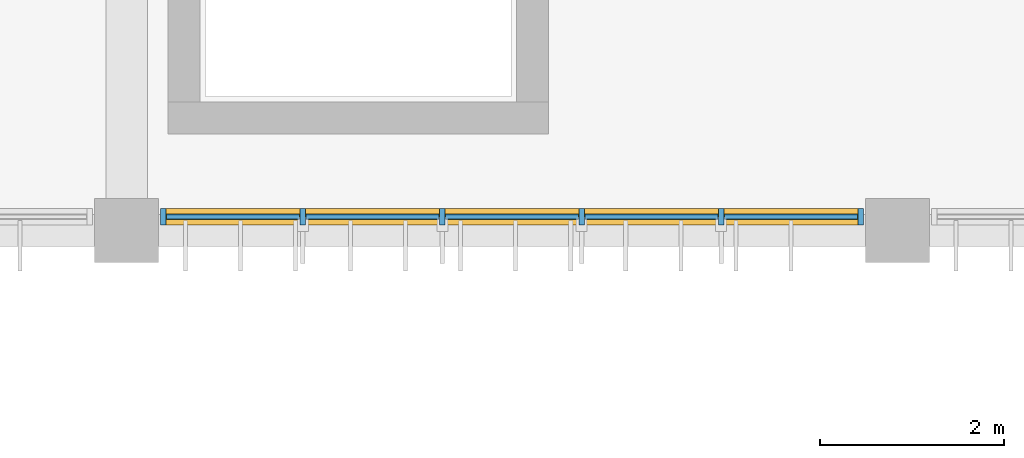
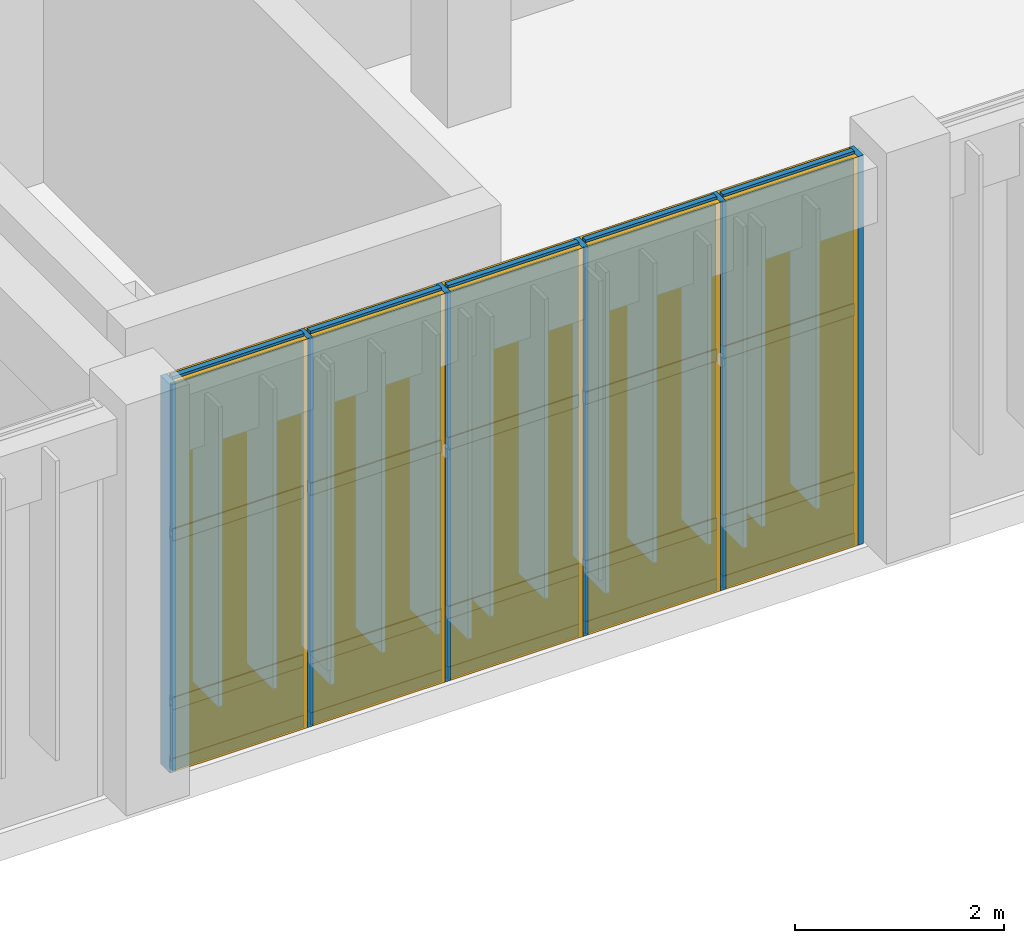
# One storey, part 102 of 122: 26 members, 15 plates, 1 curtain wall.
"""IFC4 building model written with IfcOpenShell, lengths in metres."""

import ifcopenshell
import ifcopenshell.guid

model = None  # the IFC model being written
_history = None  # IfcOwnerHistory: only IFC2X3 demands one
_inside = {}  # id of a spatial element -> (the spatial element, [elements in it])
_under = {}  # id of a project, library or spatial element -> (it, [spatial elements below it])
_declared = {}  # id of a project -> (the project, [libraries it declares])
_typed = {}  # id of a type object -> (the type object, [elements of that type])
_made_of = {}  # id of a material, layer set ... -> (it, [elements and type objects made of it])


def new_model(schema):
    """Start an empty IFC model of exactly this schema.

    Asked for "IFC4X3", IfcOpenShell would pick the latest addendum, in which some entities
    have other attributes; the version numbers below select the first issue.
    IFC2X3 requires an IfcOwnerHistory on every rooted entity: one is made here for all.
    """
    global model, _history
    if schema == "IFC4X3":
        model = ifcopenshell.file(schema_version=(4, 3, 0, 0))
    else:
        model = ifcopenshell.file(schema=schema)
    _inside.clear()
    _under.clear()
    _declared.clear()
    _typed.clear()
    _made_of.clear()
    _history = None
    if model.schema == "IFC2X3":
        org = make("IfcOrganization", Name="unknown")
        user = make(
            "IfcPersonAndOrganization",
            ThePerson=make("IfcPerson", FamilyName="unknown"),
            TheOrganization=org,
        )
        app = make(
            "IfcApplication",
            ApplicationDeveloper=org,
            Version="unknown",
            ApplicationFullName="unknown",
            ApplicationIdentifier="unknown",
        )
        _history = make(
            "IfcOwnerHistory",
            OwningUser=user,
            OwningApplication=app,
            ChangeAction="ADDED",
            CreationDate=0,
        )
    return model


def make(cls, **values):
    """One entity of the class cls with the attributes given. An attribute that is None is left unset."""
    return model.create_entity(
        cls, **{name: value for name, value in values.items() if value is not None}
    )


def rooted(cls, **values):
    """An entity with a GlobalId (a new one), such as an element, a storey or a relation."""
    return make(cls, GlobalId=ifcopenshell.guid.new(), OwnerHistory=_history, **values)


def si_unit(unit_type, name, prefix=None):
    """IfcSIUnit, for example si_unit("LENGTHUNIT", "METRE", prefix="MILLI")."""
    return make("IfcSIUnit", UnitType=unit_type, Prefix=prefix, Name=name)


def assignment(units):
    """IfcUnitAssignment: the units of a project."""
    return None if units is None else make("IfcUnitAssignment", Units=units)


def point(xyz):
    """IfcCartesianPoint."""
    return None if xyz is None else make("IfcCartesianPoint", Coordinates=xyz)


def direction(xyz):
    """IfcDirection."""
    return None if xyz is None else make("IfcDirection", DirectionRatios=xyz)


def frame(location, z_axis=None, x_axis=None):
    """IfcAxis2Placement3D, a coordinate frame: its origin and axes. An axis left out is left unset."""
    return make(
        "IfcAxis2Placement3D",
        Location=point(location),
        Axis=direction(z_axis),
        RefDirection=direction(x_axis),
    )


def frame_2d(location, x_axis=None):
    """IfcAxis2Placement2D, a coordinate frame in the plane: its origin and x axis."""
    return make(
        "IfcAxis2Placement2D", Location=point(location), RefDirection=direction(x_axis)
    )


def origin():
    """The frame at (0, 0, 0) with its axes left unset."""
    return frame((0.0, 0.0, 0.0))


def origin_2d():
    """The frame at (0, 0) in the plane with its x axis left unset."""
    return frame_2d((0.0, 0.0))


def place(relative_to, where):
    """IfcLocalPlacement: puts the frame where relative to a parent placement (None: the world)."""
    return make(
        "IfcLocalPlacement", PlacementRelTo=relative_to, RelativePlacement=where
    )


def context(
    kind, dimensions, precision=None, world=None, true_north=None, identifier=None
):
    """IfcGeometricRepresentationContext, for example the 3D "Model" context."""
    return make(
        "IfcGeometricRepresentationContext",
        ContextIdentifier=identifier,
        ContextType=kind,
        CoordinateSpaceDimension=dimensions,
        Precision=precision,
        WorldCoordinateSystem=world,
        TrueNorth=true_north,
    )


def subcontext(parent, identifier, kind, view, scale=None):
    """IfcGeometricRepresentationSubContext, for example "Body" below "Model"."""
    return make(
        "IfcGeometricRepresentationSubContext",
        ContextIdentifier=identifier,
        ContextType=kind,
        ParentContext=parent,
        TargetScale=scale,
        TargetView=view,
    )


def project(units=None, contexts=None):
    """IfcProject with its units and contexts."""
    return rooted(
        "IfcProject",
        Name="project",
        RepresentationContexts=contexts,
        UnitsInContext=assignment(units),
    )


def spatial(cls, under=None, at=None, **own):
    """A site, building, storey or space (cls), placed at a placement, below another one or the project."""
    s = rooted(cls, ObjectPlacement=at, **own)
    if under is not None:
        _under.setdefault(under.id(), (under, []))[1].append(s)
    return s


def profile(cls, at=None, kind="AREA", **sizes):
    """A parametric profile (cls). Its sizes go by their IFC names, for example OverallWidth=200.0."""
    return make(cls, ProfileType=kind, Position=at, **sizes)


def rectangle(**sizes):
    """IfcRectangleProfileDef."""
    return profile("IfcRectangleProfileDef", **sizes)


def extrude(swept, where, along, depth):
    """IfcExtrudedAreaSolid: the profile swept, set in the frame where, extruded along a direction by depth."""
    return make(
        "IfcExtrudedAreaSolid",
        SweptArea=swept,
        Position=where,
        ExtrudedDirection=direction(along),
        Depth=depth,
    )


def shape(context_of_items, identifier, shape_type, items):
    """IfcShapeRepresentation: the items that make up one representation, for example the "Body"."""
    return make(
        "IfcShapeRepresentation",
        ContextOfItems=context_of_items,
        RepresentationIdentifier=identifier,
        RepresentationType=shape_type,
        Items=items,
    )


def material(Name=None, Category=None):
    """IfcMaterial."""
    return make("IfcMaterial", Name=Name, Category=Category)


def layer(
    of_material, thickness, ventilated=None, Name=None, Category=None, Priority=None
):
    """IfcMaterialLayer: one layer of a wall or slab, of a material (None: an air gap)."""
    return make(
        "IfcMaterialLayer",
        Material=of_material,
        LayerThickness=thickness,
        IsVentilated=ventilated,
        Name=Name,
        Category=Category,
        Priority=Priority,
    )


def layer_set(layers, Name=None):
    """IfcMaterialLayerSet."""
    return make("IfcMaterialLayerSet", MaterialLayers=layers, LayerSetName=Name)


def material_profile(
    of_material, cross_section, Name=None, Category=None, Priority=None
):
    """IfcMaterialProfile: a cross section and its material."""
    return make(
        "IfcMaterialProfile",
        Name=Name,
        Material=of_material,
        Profile=cross_section,
        Priority=Priority,
        Category=Category,
    )


def profile_set(profiles, Name=None, composite=None):
    """IfcMaterialProfileSet."""
    return make(
        "IfcMaterialProfileSet",
        Name=Name,
        MaterialProfiles=profiles,
        CompositeProfile=composite,
    )


def made_of(thing, what):
    """Note that an element or type object is made of a material, layer set ...; save() writes the relation."""
    if what is not None:
        _made_of.setdefault(what.id(), (what, []))[1].append(thing)
    return thing


def type_object(cls, material=None, **own):
    """A type object (cls), such as IfcWallType, which elements share."""
    return made_of(rooted(cls, **own), material)


def element(
    cls,
    number,
    at=None,
    inside=None,
    cuts=None,
    type_object=None,
    material=None,
    context=None,
    identifier="Body",
    shape_type=None,
    held_by="IfcProductDefinitionShape",
    body=None,
    shapes=None,
    **own,
):
    """One element of the class cls, such as IfcWall. Its Tag is "e" and its number.

    at: its placement. inside: the storey or other place that contains it. cuts: it is an
    opening in that element (IfcRelVoidsElement). A single representation is given by context,
    identifier, shape_type and body (its items); several are given by shapes. held_by: the class
    of the entity that holds the representations. save() writes the other relations.
    """
    e = rooted(cls, Tag="e%d" % number, ObjectPlacement=at, **own)
    if body is not None:
        shapes = [shape(context, identifier, shape_type, body)]
    if shapes is not None:
        e.Representation = make(held_by, Representations=shapes)
    if inside is not None:
        _inside.setdefault(inside.id(), (inside, []))[1].append(e)
    if cuts is not None:
        rooted(
            "IfcRelVoidsElement", RelatingBuildingElement=cuts, RelatedOpeningElement=e
        )
    if type_object is not None:
        _typed.setdefault(type_object.id(), (type_object, []))[1].append(e)
    return made_of(e, material)


def aggregate(whole, parts):
    """IfcRelAggregates: a whole, such as a stair, and the parts it consists of."""
    return rooted("IfcRelAggregates", RelatingObject=whole, RelatedObjects=parts)


def save(model, path):
    """Write the relations noted so far, then the file.

    IfcRelAggregates (storeys below a building ...), IfcRelContainedInSpatialStructure (elements
    in a storey), IfcRelDefinesByType, IfcRelAssociatesMaterial and IfcRelDeclares: one each for
    every whole, place, type object, material and project.
    """
    for whole, parts in _under.values():
        aggregate(whole, parts)
    for where, things in _inside.values():
        rooted(
            "IfcRelContainedInSpatialStructure",
            RelatedElements=things,
            RelatingStructure=where,
        )
    for kind, things in _typed.values():
        rooted("IfcRelDefinesByType", RelatedObjects=things, RelatingType=kind)
    for what, things in _made_of.values():
        rooted("IfcRelAssociatesMaterial", RelatedObjects=things, RelatingMaterial=what)
    for by, libraries in _declared.values():
        rooted("IfcRelDeclares", RelatingContext=by, RelatedDefinitions=libraries)
    model.write(path)


model = new_model("IFC4")

# Units and contexts
model_context = context("Model", 3, precision=1e-05, world=origin(), true_north=direction((0.0, 1.0)))
body_context = subcontext(model_context, "Body", "Model", "MODEL_VIEW")
ifc_project = project(units=[si_unit("LENGTHUNIT", "METRE"), si_unit("AREAUNIT", "SQUARE_METRE"), si_unit("VOLUMEUNIT", "CUBIC_METRE"), si_unit("PLANEANGLEUNIT", "RADIAN"), si_unit("MASSUNIT", "GRAM", prefix="KILO")], contexts=[model_context])

# Member
ifc_material_1 = material(Name="Anodised Bronze Aluminium 6063-T6", Category="aluminium")
ifc_material_profile_1 = material_profile(ifc_material_1, rectangle(XDim=0.06005859375, YDim=0.179931640625, at=origin_2d()), Name="ALU MULLION 60x180")
ifc_profile_set_1 = profile_set([ifc_material_profile_1], Name="Anodised Bronze Aluminium 6063-T6")
member_type_1 = type_object("IfcMemberType", Name="Curtain-Wall Primary Mullion 60x180", PredefinedType="MULLION", material=ifc_profile_set_1)
site_placement = place(None, origin())
building_placement = place(site_placement, origin())
storey_placement = place(building_placement, origin())
member_1_placement = place(storey_placement, frame((134.199951171875, 87.949951171875, 0.0), z_axis=(0.0, 0.0, 1.0), x_axis=(1.0, 0.0, 0.0)))
member_1 = element("IfcMember", 1, at=member_1_placement, type_object=member_type_1, Name="Mullion CWM-01 CW-V3-S2-L00-B2-M01", PredefinedType="MULLION", context=body_context, shape_type="SweptSolid", body=[
    extrude(rectangle(XDim=0.06005859375, YDim=0.179931640625, at=origin_2d()), origin(), (0.0, 0.0, 1.0), 4.5400390625),
])

member_2_placement = place(storey_placement, frame((135.719970703125, 87.949951171875, 0.0), z_axis=(0.0, 0.0, 1.0), x_axis=(1.0, 0.0, 0.0)))
member_2 = element("IfcMember", 2, at=member_2_placement, type_object=member_type_1, Name="Mullion CWM-01 CW-V3-S2-L00-B2-M02", PredefinedType="MULLION", context=body_context, shape_type="SweptSolid", body=[
    extrude(rectangle(XDim=0.06005859375, YDim=0.179931640625, at=origin_2d()), origin(), (0.0, 0.0, 1.0), 4.5400390625),
])

member_3_placement = place(storey_placement, frame((137.239990234375, 87.949951171875, 0.0), z_axis=(0.0, 0.0, 1.0), x_axis=(1.0, 0.0, 0.0)))
member_3 = element("IfcMember", 3, at=member_3_placement, type_object=member_type_1, Name="Mullion CWM-01 CW-V3-S2-L00-B2-M03", PredefinedType="MULLION", context=body_context, shape_type="SweptSolid", body=[
    extrude(rectangle(XDim=0.06005859375, YDim=0.179931640625, at=origin_2d()), origin(), (0.0, 0.0, 1.0), 4.5400390625),
])

member_4_placement = place(storey_placement, frame((138.760009765625, 87.949951171875, 0.0), z_axis=(0.0, 0.0, 1.0), x_axis=(1.0, 0.0, 0.0)))
member_4 = element("IfcMember", 4, at=member_4_placement, type_object=member_type_1, Name="Mullion CWM-01 CW-V3-S2-L00-B2-M04", PredefinedType="MULLION", context=body_context, shape_type="SweptSolid", body=[
    extrude(rectangle(XDim=0.06005859375, YDim=0.179931640625, at=origin_2d()), origin(), (0.0, 0.0, 1.0), 4.5400390625),
])

member_5_placement = place(storey_placement, frame((140.280029296875, 87.949951171875, 0.0), z_axis=(0.0, 0.0, 1.0), x_axis=(1.0, 0.0, 0.0)))
member_5 = element("IfcMember", 5, at=member_5_placement, type_object=member_type_1, Name="Mullion CWM-01 CW-V3-S2-L00-B2-M05", PredefinedType="MULLION", context=body_context, shape_type="SweptSolid", body=[
    extrude(rectangle(XDim=0.06005859375, YDim=0.179931640625, at=origin_2d()), origin(), (0.0, 0.0, 1.0), 4.5400390625),
])

member_6_placement = place(storey_placement, frame((141.800048828125, 87.949951171875, 0.0), z_axis=(0.0, 0.0, 1.0), x_axis=(1.0, 0.0, 0.0)))
member_6 = element("IfcMember", 6, at=member_6_placement, type_object=member_type_1, Name="Mullion CWM-01 CW-V3-S2-L00-B2-M06", PredefinedType="MULLION", context=body_context, shape_type="SweptSolid", body=[
    extrude(rectangle(XDim=0.06005859375, YDim=0.179931640625, at=origin_2d()), origin(), (0.0, 0.0, 1.0), 4.5400390625),
])

ifc_material_profile_2 = material_profile(ifc_material_1, rectangle(XDim=0.06005859375, YDim=0.139892578125, at=origin_2d()), Name="ALU TRANSOM 60x140")
ifc_profile_set_2 = profile_set([ifc_material_profile_2], Name="Anodised Bronze Aluminium 6063-T6")
member_type_2 = type_object("IfcMemberType", Name="Curtain-Wall Transom 60x140", PredefinedType="USERDEFINED", material=ifc_profile_set_2)
member_7_placement = place(storey_placement, frame((134.235107421875, 87.949951171875, 0.0400390625), z_axis=(1.0, 0.0, 0.0), x_axis=(0.0, 1.0, 0.0)))
member_7 = element("IfcMember", 7, at=member_7_placement, type_object=member_type_2, Name="Transom CWT-01 CW-V3-S2-L00-B2-T01.1", ObjectType="TRANSOM", PredefinedType="USERDEFINED", context=body_context, shape_type="SweptSolid", body=[
    extrude(rectangle(XDim=0.06005859375, YDim=0.139892578125, at=origin_2d()), origin(), (0.0, 0.0, 1.0), 1.449951171875),
])

member_8_placement = place(storey_placement, frame((134.235107421875, 87.949951171875, 0.75), z_axis=(1.0, 0.0, 0.0), x_axis=(0.0, 1.0, 0.0)))
member_8 = element("IfcMember", 8, at=member_8_placement, type_object=member_type_2, Name="Transom CWT-01 CW-V3-S2-L00-B2-T01.2", ObjectType="TRANSOM", PredefinedType="USERDEFINED", context=body_context, shape_type="SweptSolid", body=[
    extrude(rectangle(XDim=0.06005859375, YDim=0.139892578125, at=origin_2d()), origin(), (0.0, 0.0, 1.0), 1.449951171875),
])

member_9_placement = place(storey_placement, frame((134.235107421875, 87.949951171875, 2.720703125), z_axis=(1.0, 0.0, 0.0), x_axis=(0.0, 1.0, 0.0)))
member_9 = element("IfcMember", 9, at=member_9_placement, type_object=member_type_2, Name="Transom CWT-01 CW-V3-S2-L00-B2-T01.3", ObjectType="TRANSOM", PredefinedType="USERDEFINED", context=body_context, shape_type="SweptSolid", body=[
    extrude(rectangle(XDim=0.06005859375, YDim=0.139892578125, at=origin_2d()), origin(), (0.0, 0.0, 1.0), 1.449951171875),
])

member_10_placement = place(storey_placement, frame((134.235107421875, 87.949951171875, 4.5), z_axis=(1.0, 0.0, 0.0), x_axis=(0.0, 1.0, 0.0)))
member_10 = element("IfcMember", 10, at=member_10_placement, type_object=member_type_2, Name="Transom CWT-01 CW-V3-S2-L00-B2-T01.4", ObjectType="TRANSOM", PredefinedType="USERDEFINED", context=body_context, shape_type="SweptSolid", body=[
    extrude(rectangle(XDim=0.06005859375, YDim=0.139892578125, at=origin_2d()), origin(), (0.0, 0.0, 1.0), 1.449951171875),
])

member_11_placement = place(storey_placement, frame((135.7548828125, 87.949951171875, 0.0400390625), z_axis=(1.0, 0.0, 0.0), x_axis=(0.0, 1.0, 0.0)))
member_11 = element("IfcMember", 11, at=member_11_placement, type_object=member_type_2, Name="Transom CWT-01 CW-V3-S2-L00-B2-T02.1", ObjectType="TRANSOM", PredefinedType="USERDEFINED", context=body_context, shape_type="SweptSolid", body=[
    extrude(rectangle(XDim=0.06005859375, YDim=0.139892578125, at=origin_2d()), origin(), (0.0, 0.0, 1.0), 1.4501953125),
])

member_12_placement = place(storey_placement, frame((135.7548828125, 87.949951171875, 0.75), z_axis=(1.0, 0.0, 0.0), x_axis=(0.0, 1.0, 0.0)))
member_12 = element("IfcMember", 12, at=member_12_placement, type_object=member_type_2, Name="Transom CWT-01 CW-V3-S2-L00-B2-T02.2", ObjectType="TRANSOM", PredefinedType="USERDEFINED", context=body_context, shape_type="SweptSolid", body=[
    extrude(rectangle(XDim=0.06005859375, YDim=0.139892578125, at=origin_2d()), origin(), (0.0, 0.0, 1.0), 1.4501953125),
])

member_13_placement = place(storey_placement, frame((135.7548828125, 87.949951171875, 2.720703125), z_axis=(1.0, 0.0, 0.0), x_axis=(0.0, 1.0, 0.0)))
member_13 = element("IfcMember", 13, at=member_13_placement, type_object=member_type_2, Name="Transom CWT-01 CW-V3-S2-L00-B2-T02.3", ObjectType="TRANSOM", PredefinedType="USERDEFINED", context=body_context, shape_type="SweptSolid", body=[
    extrude(rectangle(XDim=0.06005859375, YDim=0.139892578125, at=origin_2d()), origin(), (0.0, 0.0, 1.0), 1.4501953125),
])

member_14_placement = place(storey_placement, frame((135.7548828125, 87.949951171875, 4.5), z_axis=(1.0, 0.0, 0.0), x_axis=(0.0, 1.0, 0.0)))
member_14 = element("IfcMember", 14, at=member_14_placement, type_object=member_type_2, Name="Transom CWT-01 CW-V3-S2-L00-B2-T02.4", ObjectType="TRANSOM", PredefinedType="USERDEFINED", context=body_context, shape_type="SweptSolid", body=[
    extrude(rectangle(XDim=0.06005859375, YDim=0.139892578125, at=origin_2d()), origin(), (0.0, 0.0, 1.0), 1.4501953125),
])

member_15_placement = place(storey_placement, frame((137.27490234375, 87.949951171875, 0.0400390625), z_axis=(1.0, 0.0, 0.0), x_axis=(0.0, 1.0, 0.0)))
member_15 = element("IfcMember", 15, at=member_15_placement, type_object=member_type_2, Name="Transom CWT-01 CW-V3-S2-L00-B2-T03.1", ObjectType="TRANSOM", PredefinedType="USERDEFINED", context=body_context, shape_type="SweptSolid", body=[
    extrude(rectangle(XDim=0.06005859375, YDim=0.139892578125, at=origin_2d()), origin(), (0.0, 0.0, 1.0), 1.4501953125),
])

member_16_placement = place(storey_placement, frame((137.27490234375, 87.949951171875, 0.75), z_axis=(1.0, 0.0, 0.0), x_axis=(0.0, 1.0, 0.0)))
member_16 = element("IfcMember", 16, at=member_16_placement, type_object=member_type_2, Name="Transom CWT-01 CW-V3-S2-L00-B2-T03.2", ObjectType="TRANSOM", PredefinedType="USERDEFINED", context=body_context, shape_type="SweptSolid", body=[
    extrude(rectangle(XDim=0.06005859375, YDim=0.139892578125, at=origin_2d()), origin(), (0.0, 0.0, 1.0), 1.4501953125),
])

member_17_placement = place(storey_placement, frame((137.27490234375, 87.949951171875, 2.720703125), z_axis=(1.0, 0.0, 0.0), x_axis=(0.0, 1.0, 0.0)))
member_17 = element("IfcMember", 17, at=member_17_placement, type_object=member_type_2, Name="Transom CWT-01 CW-V3-S2-L00-B2-T03.3", ObjectType="TRANSOM", PredefinedType="USERDEFINED", context=body_context, shape_type="SweptSolid", body=[
    extrude(rectangle(XDim=0.06005859375, YDim=0.139892578125, at=origin_2d()), origin(), (0.0, 0.0, 1.0), 1.4501953125),
])

member_18_placement = place(storey_placement, frame((137.27490234375, 87.949951171875, 4.5), z_axis=(1.0, 0.0, 0.0), x_axis=(0.0, 1.0, 0.0)))
member_18 = element("IfcMember", 18, at=member_18_placement, type_object=member_type_2, Name="Transom CWT-01 CW-V3-S2-L00-B2-T03.4", ObjectType="TRANSOM", PredefinedType="USERDEFINED", context=body_context, shape_type="SweptSolid", body=[
    extrude(rectangle(XDim=0.06005859375, YDim=0.139892578125, at=origin_2d()), origin(), (0.0, 0.0, 1.0), 1.4501953125),
])

member_19_placement = place(storey_placement, frame((138.794921875, 87.949951171875, 0.0400390625), z_axis=(1.0, 0.0, 0.0), x_axis=(0.0, 1.0, 0.0)))
member_19 = element("IfcMember", 19, at=member_19_placement, type_object=member_type_2, Name="Transom CWT-01 CW-V3-S2-L00-B2-T04.1", ObjectType="TRANSOM", PredefinedType="USERDEFINED", context=body_context, shape_type="SweptSolid", body=[
    extrude(rectangle(XDim=0.06005859375, YDim=0.139892578125, at=origin_2d()), origin(), (0.0, 0.0, 1.0), 1.4501953125),
])

member_20_placement = place(storey_placement, frame((138.794921875, 87.949951171875, 0.75), z_axis=(1.0, 0.0, 0.0), x_axis=(0.0, 1.0, 0.0)))
member_20 = element("IfcMember", 20, at=member_20_placement, type_object=member_type_2, Name="Transom CWT-01 CW-V3-S2-L00-B2-T04.2", ObjectType="TRANSOM", PredefinedType="USERDEFINED", context=body_context, shape_type="SweptSolid", body=[
    extrude(rectangle(XDim=0.06005859375, YDim=0.139892578125, at=origin_2d()), origin(), (0.0, 0.0, 1.0), 1.4501953125),
])

member_21_placement = place(storey_placement, frame((138.794921875, 87.949951171875, 2.720703125), z_axis=(1.0, 0.0, 0.0), x_axis=(0.0, 1.0, 0.0)))
member_21 = element("IfcMember", 21, at=member_21_placement, type_object=member_type_2, Name="Transom CWT-01 CW-V3-S2-L00-B2-T04.3", ObjectType="TRANSOM", PredefinedType="USERDEFINED", context=body_context, shape_type="SweptSolid", body=[
    extrude(rectangle(XDim=0.06005859375, YDim=0.139892578125, at=origin_2d()), origin(), (0.0, 0.0, 1.0), 1.4501953125),
])

member_22_placement = place(storey_placement, frame((138.794921875, 87.949951171875, 4.5), z_axis=(1.0, 0.0, 0.0), x_axis=(0.0, 1.0, 0.0)))
member_22 = element("IfcMember", 22, at=member_22_placement, type_object=member_type_2, Name="Transom CWT-01 CW-V3-S2-L00-B2-T04.4", ObjectType="TRANSOM", PredefinedType="USERDEFINED", context=body_context, shape_type="SweptSolid", body=[
    extrude(rectangle(XDim=0.06005859375, YDim=0.139892578125, at=origin_2d()), origin(), (0.0, 0.0, 1.0), 1.4501953125),
])

member_23_placement = place(storey_placement, frame((140.31494140625, 87.949951171875, 0.0400390625), z_axis=(1.0, 0.0, 0.0), x_axis=(0.0, 1.0, 0.0)))
member_23 = element("IfcMember", 23, at=member_23_placement, type_object=member_type_2, Name="Transom CWT-01 CW-V3-S2-L00-B2-T05.1", ObjectType="TRANSOM", PredefinedType="USERDEFINED", context=body_context, shape_type="SweptSolid", body=[
    extrude(rectangle(XDim=0.06005859375, YDim=0.139892578125, at=origin_2d()), origin(), (0.0, 0.0, 1.0), 1.449951171875),
])

member_24_placement = place(storey_placement, frame((140.31494140625, 87.949951171875, 0.75), z_axis=(1.0, 0.0, 0.0), x_axis=(0.0, 1.0, 0.0)))
member_24 = element("IfcMember", 24, at=member_24_placement, type_object=member_type_2, Name="Transom CWT-01 CW-V3-S2-L00-B2-T05.2", ObjectType="TRANSOM", PredefinedType="USERDEFINED", context=body_context, shape_type="SweptSolid", body=[
    extrude(rectangle(XDim=0.06005859375, YDim=0.139892578125, at=origin_2d()), origin(), (0.0, 0.0, 1.0), 1.449951171875),
])

member_25_placement = place(storey_placement, frame((140.31494140625, 87.949951171875, 2.720703125), z_axis=(1.0, 0.0, 0.0), x_axis=(0.0, 1.0, 0.0)))
member_25 = element("IfcMember", 25, at=member_25_placement, type_object=member_type_2, Name="Transom CWT-01 CW-V3-S2-L00-B2-T05.3", ObjectType="TRANSOM", PredefinedType="USERDEFINED", context=body_context, shape_type="SweptSolid", body=[
    extrude(rectangle(XDim=0.06005859375, YDim=0.139892578125, at=origin_2d()), origin(), (0.0, 0.0, 1.0), 1.449951171875),
])

member_26_placement = place(storey_placement, frame((140.31494140625, 87.949951171875, 4.5), z_axis=(1.0, 0.0, 0.0), x_axis=(0.0, 1.0, 0.0)))
member_26 = element("IfcMember", 26, at=member_26_placement, type_object=member_type_2, Name="Transom CWT-01 CW-V3-S2-L00-B2-T05.4", ObjectType="TRANSOM", PredefinedType="USERDEFINED", context=body_context, shape_type="SweptSolid", body=[
    extrude(rectangle(XDim=0.06005859375, YDim=0.139892578125, at=origin_2d()), origin(), (0.0, 0.0, 1.0), 1.449951171875),
])

# Plate
ifc_material_2 = material(Name="Insulated Bronze Aluminium Spandrel Panel", Category="aluminium")
ifc_layer_1 = layer(ifc_material_2, 0.050048828125, Name="Insulated Bronze Aluminium Spandrel Panel")
ifc_layer_set_1 = layer_set([ifc_layer_1], Name="Insulated Bronze Aluminium Spandrel Panel")
plate_type_1 = type_object("IfcPlateType", Name="Insulated Anodised Aluminium Spandrel Cassette 50", PredefinedType="CURTAIN_PANEL", material=ifc_layer_set_1)
plate_1_placement = place(storey_placement, frame((134.9599609375, 87.949951171875, 0.070068359375), z_axis=(0.0, 0.0, 1.0), x_axis=(1.0, 0.0, 0.0)))
plate_1 = element("IfcPlate", 27, at=plate_1_placement, type_object=plate_type_1, Name="Curtain Panel CWP-03 CW-V3-S2-L00-B2-P01.1", PredefinedType="CURTAIN_PANEL", context=body_context, shape_type="SweptSolid", body=[
    extrude(rectangle(XDim=1.449951171875, YDim=0.050048828125, at=origin_2d()), origin(), (0.0, 0.0, 1.0), 0.64990234375),
])

plate_2_placement = place(storey_placement, frame((136.47998046875, 87.949951171875, 0.070068359375), z_axis=(0.0, 0.0, 1.0), x_axis=(1.0, 0.0, 0.0)))
plate_2 = element("IfcPlate", 28, at=plate_2_placement, type_object=plate_type_1, Name="Curtain Panel CWP-03 CW-V3-S2-L00-B2-P02.1", PredefinedType="CURTAIN_PANEL", context=body_context, shape_type="SweptSolid", body=[
    extrude(rectangle(XDim=1.449951171875, YDim=0.050048828125, at=origin_2d()), origin(), (0.0, 0.0, 1.0), 0.64990234375),
])

plate_3_placement = place(storey_placement, frame((138.0, 87.949951171875, 0.070068359375), z_axis=(0.0, 0.0, 1.0), x_axis=(1.0, 0.0, 0.0)))
plate_3 = element("IfcPlate", 29, at=plate_3_placement, type_object=plate_type_1, Name="Curtain Panel CWP-03 CW-V3-S2-L00-B2-P03.1", PredefinedType="CURTAIN_PANEL", context=body_context, shape_type="SweptSolid", body=[
    extrude(rectangle(XDim=1.449951171875, YDim=0.050048828125, at=origin_2d()), origin(), (0.0, 0.0, 1.0), 0.64990234375),
])

plate_4_placement = place(storey_placement, frame((139.52001953125, 87.949951171875, 0.070068359375), z_axis=(0.0, 0.0, 1.0), x_axis=(1.0, 0.0, 0.0)))
plate_4 = element("IfcPlate", 30, at=plate_4_placement, type_object=plate_type_1, Name="Curtain Panel CWP-03 CW-V3-S2-L00-B2-P04.1", PredefinedType="CURTAIN_PANEL", context=body_context, shape_type="SweptSolid", body=[
    extrude(rectangle(XDim=1.449951171875, YDim=0.050048828125, at=origin_2d()), origin(), (0.0, 0.0, 1.0), 0.64990234375),
])

plate_5_placement = place(storey_placement, frame((141.0400390625, 87.949951171875, 0.070068359375), z_axis=(0.0, 0.0, 1.0), x_axis=(1.0, 0.0, 0.0)))
plate_5 = element("IfcPlate", 31, at=plate_5_placement, type_object=plate_type_1, Name="Curtain Panel CWP-03 CW-V3-S2-L00-B2-P05.1", PredefinedType="CURTAIN_PANEL", context=body_context, shape_type="SweptSolid", body=[
    extrude(rectangle(XDim=1.449951171875, YDim=0.050048828125, at=origin_2d()), origin(), (0.0, 0.0, 1.0), 0.64990234375),
])

ifc_material_3 = material(Name="Solar-Control Tempered Double Glazing", Category="glass")
ifc_layer_2 = layer(ifc_material_3, 0.0380859375, Name="Solar-Control Tempered Double Glazing")
ifc_layer_set_2 = layer_set([ifc_layer_2], Name="Solar-Control Tempered Double Glazing")
plate_type_2 = type_object("IfcPlateType", Name="Solar-Control Vision Glazing Unit 38", PredefinedType="CURTAIN_PANEL", material=ifc_layer_set_2)
plate_6_placement = place(storey_placement, frame((134.9599609375, 87.949951171875, 0.77978515625), z_axis=(0.0, 0.0, 1.0), x_axis=(1.0, 0.0, 0.0)))
plate_6 = element("IfcPlate", 32, at=plate_6_placement, type_object=plate_type_2, Name="Curtain Panel CWP-02 CW-V3-S2-L00-B2-P01.2", PredefinedType="CURTAIN_PANEL", context=body_context, shape_type="SweptSolid", body=[
    extrude(rectangle(XDim=1.449951171875, YDim=0.0380859375, at=origin_2d()), origin(), (0.0, 0.0, 1.0), 1.910888671875),
])

plate_7_placement = place(storey_placement, frame((134.9599609375, 87.949951171875, 2.750732421875), z_axis=(0.0, 0.0, 1.0), x_axis=(1.0, 0.0, 0.0)))
plate_7 = element("IfcPlate", 33, at=plate_7_placement, type_object=plate_type_2, Name="Curtain Panel CWP-02 CW-V3-S2-L00-B2-P01.3", PredefinedType="CURTAIN_PANEL", context=body_context, shape_type="SweptSolid", body=[
    extrude(rectangle(XDim=1.449951171875, YDim=0.0380859375, at=origin_2d()), origin(), (0.0, 0.0, 1.0), 1.71923828125),
])

plate_8_placement = place(storey_placement, frame((136.47998046875, 87.949951171875, 0.77978515625), z_axis=(0.0, 0.0, 1.0), x_axis=(1.0, 0.0, 0.0)))
plate_8 = element("IfcPlate", 34, at=plate_8_placement, type_object=plate_type_2, Name="Curtain Panel CWP-02 CW-V3-S2-L00-B2-P02.2", PredefinedType="CURTAIN_PANEL", context=body_context, shape_type="SweptSolid", body=[
    extrude(rectangle(XDim=1.449951171875, YDim=0.0380859375, at=origin_2d()), origin(), (0.0, 0.0, 1.0), 1.910888671875),
])

plate_9_placement = place(storey_placement, frame((136.47998046875, 87.949951171875, 2.750732421875), z_axis=(0.0, 0.0, 1.0), x_axis=(1.0, 0.0, 0.0)))
plate_9 = element("IfcPlate", 35, at=plate_9_placement, type_object=plate_type_2, Name="Curtain Panel CWP-02 CW-V3-S2-L00-B2-P02.3", PredefinedType="CURTAIN_PANEL", context=body_context, shape_type="SweptSolid", body=[
    extrude(rectangle(XDim=1.449951171875, YDim=0.0380859375, at=origin_2d()), origin(), (0.0, 0.0, 1.0), 1.71923828125),
])

plate_10_placement = place(storey_placement, frame((138.0, 87.949951171875, 0.77978515625), z_axis=(0.0, 0.0, 1.0), x_axis=(1.0, 0.0, 0.0)))
plate_10 = element("IfcPlate", 36, at=plate_10_placement, type_object=plate_type_2, Name="Curtain Panel CWP-02 CW-V3-S2-L00-B2-P03.2", PredefinedType="CURTAIN_PANEL", context=body_context, shape_type="SweptSolid", body=[
    extrude(rectangle(XDim=1.449951171875, YDim=0.0380859375, at=origin_2d()), origin(), (0.0, 0.0, 1.0), 1.910888671875),
])

plate_11_placement = place(storey_placement, frame((138.0, 87.949951171875, 2.750732421875), z_axis=(0.0, 0.0, 1.0), x_axis=(1.0, 0.0, 0.0)))
plate_11 = element("IfcPlate", 37, at=plate_11_placement, type_object=plate_type_2, Name="Curtain Panel CWP-02 CW-V3-S2-L00-B2-P03.3", PredefinedType="CURTAIN_PANEL", context=body_context, shape_type="SweptSolid", body=[
    extrude(rectangle(XDim=1.449951171875, YDim=0.0380859375, at=origin_2d()), origin(), (0.0, 0.0, 1.0), 1.71923828125),
])

plate_12_placement = place(storey_placement, frame((139.52001953125, 87.949951171875, 0.77978515625), z_axis=(0.0, 0.0, 1.0), x_axis=(1.0, 0.0, 0.0)))
plate_12 = element("IfcPlate", 38, at=plate_12_placement, type_object=plate_type_2, Name="Curtain Panel CWP-02 CW-V3-S2-L00-B2-P04.2", PredefinedType="CURTAIN_PANEL", context=body_context, shape_type="SweptSolid", body=[
    extrude(rectangle(XDim=1.449951171875, YDim=0.0380859375, at=origin_2d()), origin(), (0.0, 0.0, 1.0), 1.910888671875),
])

plate_13_placement = place(storey_placement, frame((139.52001953125, 87.949951171875, 2.750732421875), z_axis=(0.0, 0.0, 1.0), x_axis=(1.0, 0.0, 0.0)))
plate_13 = element("IfcPlate", 39, at=plate_13_placement, type_object=plate_type_2, Name="Curtain Panel CWP-02 CW-V3-S2-L00-B2-P04.3", PredefinedType="CURTAIN_PANEL", context=body_context, shape_type="SweptSolid", body=[
    extrude(rectangle(XDim=1.449951171875, YDim=0.0380859375, at=origin_2d()), origin(), (0.0, 0.0, 1.0), 1.71923828125),
])

plate_14_placement = place(storey_placement, frame((141.0400390625, 87.949951171875, 0.77978515625), z_axis=(0.0, 0.0, 1.0), x_axis=(1.0, 0.0, 0.0)))
plate_14 = element("IfcPlate", 40, at=plate_14_placement, type_object=plate_type_2, Name="Curtain Panel CWP-02 CW-V3-S2-L00-B2-P05.2", PredefinedType="CURTAIN_PANEL", context=body_context, shape_type="SweptSolid", body=[
    extrude(rectangle(XDim=1.449951171875, YDim=0.0380859375, at=origin_2d()), origin(), (0.0, 0.0, 1.0), 1.910888671875),
])

plate_15_placement = place(storey_placement, frame((141.0400390625, 87.949951171875, 2.750732421875), z_axis=(0.0, 0.0, 1.0), x_axis=(1.0, 0.0, 0.0)))
plate_15 = element("IfcPlate", 41, at=plate_15_placement, type_object=plate_type_2, Name="Curtain Panel CWP-02 CW-V3-S2-L00-B2-P05.3", PredefinedType="CURTAIN_PANEL", context=body_context, shape_type="SweptSolid", body=[
    extrude(rectangle(XDim=1.449951171875, YDim=0.0380859375, at=origin_2d()), origin(), (0.0, 0.0, 1.0), 1.71923828125),
])

# Site, building, storey
site = spatial("IfcSite", under=ifc_project, at=site_placement, CompositionType="ELEMENT")
building = spatial("IfcBuilding", under=site, at=building_placement, Name="Tazoul Stagehouse", CompositionType="ELEMENT")
storey = spatial("IfcBuildingStorey", under=building, at=storey_placement, Name="L00", CompositionType="ELEMENT", Elevation=0.0)

# Curtain wall
curtain_wall_type = type_object("IfcCurtainWallType", Name="Rehearsal North Daylight Curtain Wall", PredefinedType="NOTDEFINED", material=ifc_material_1)
curtain_wall_placement = place(storey_placement, frame((134.199951171875, 87.949951171875, 0.0), z_axis=(0.0, 0.0, 1.0), x_axis=(1.0, 0.0, 0.0)))
curtain_wall = element("IfcCurtainWall", 42, at=curtain_wall_placement, inside=storey, type_object=curtain_wall_type, Name="L00 Curtain Wall CW-04 (CW-V3-S2-L00-B2)", PredefinedType="NOTDEFINED", context=body_context, shape_type="SweptSolid", body=[
    extrude(rectangle(XDim=7.60009765625, YDim=0.179931640625, at=frame_2d((3.800048828125, 0.0))), origin(), (0.0, 0.0, 1.0), 4.5400390625),
])

aggregate(curtain_wall, [member_1, member_2, member_3, member_4, member_5, member_6, member_7, member_8, member_9, member_10, plate_1, plate_6, plate_7, member_11, member_12, member_13, member_14, plate_2, plate_8, plate_9, member_15, member_16, member_17, member_18, plate_3, plate_10, plate_11, member_19, member_20, member_21, member_22, plate_4, plate_12, plate_13, member_23, member_24, member_25, member_26, plate_5, plate_14, plate_15])

save(model, "model.ifc")
